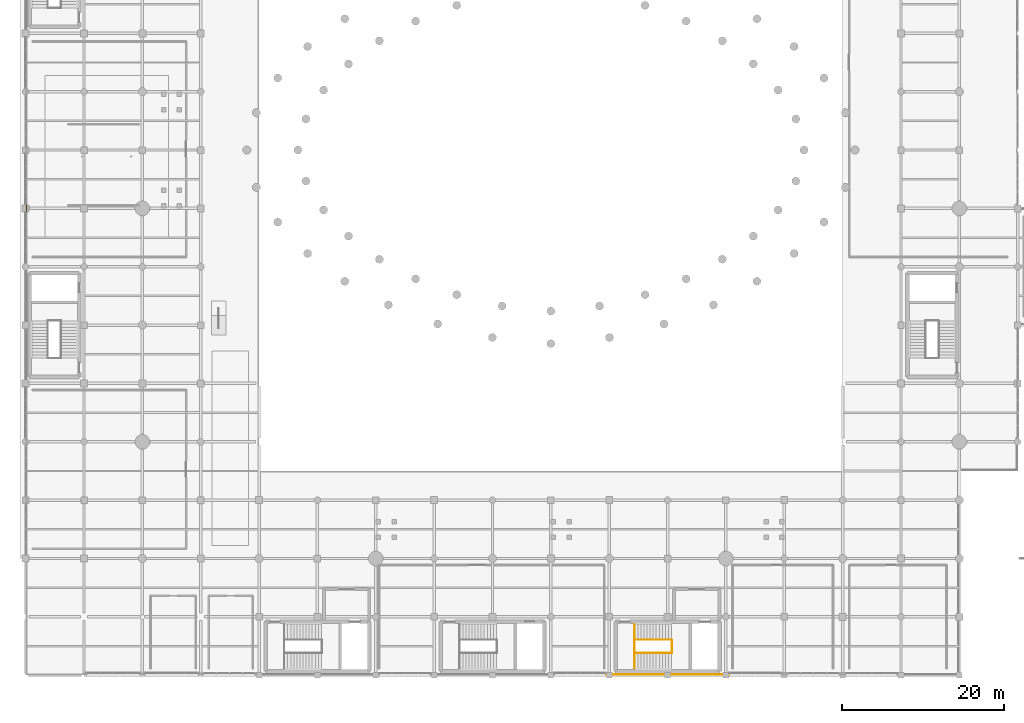
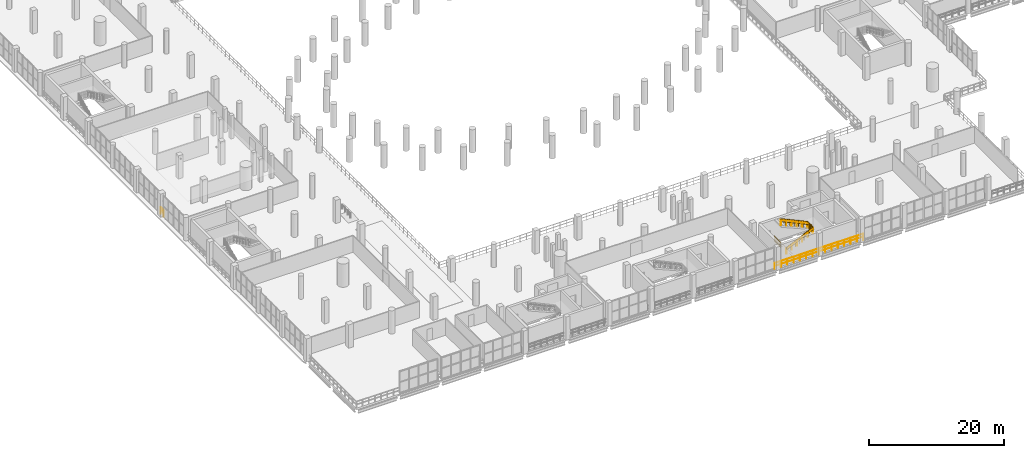
# One storey, part 144 of 153: 8 railings.
"""IFC4 building model written with IfcOpenShell, lengths in metres."""

from ifc_helpers import new_model, si_unit, direction, frame, origin, origin_2d, place, context, subcontext, project, spatial, circle, extrude, material, type_object, element, save


model = new_model("IFC4")

# Units and contexts
model_context = context("Model", 3, precision=1e-05, world=origin(), true_north=direction((0.0, 1.0)))
body_context = subcontext(model_context, "Body", "Model", "MODEL_VIEW")
ifc_project = project(units=[si_unit("LENGTHUNIT", "METRE"), si_unit("AREAUNIT", "SQUARE_METRE"), si_unit("VOLUMEUNIT", "CUBIC_METRE"), si_unit("PLANEANGLEUNIT", "RADIAN"), si_unit("MASSUNIT", "GRAM", prefix="KILO")], contexts=[model_context])

# Site, building, storey
site_placement = place(None, origin())
site = spatial("IfcSite", under=ifc_project, at=site_placement, CompositionType="ELEMENT")
building_placement = place(site_placement, origin())
building = spatial("IfcBuilding", under=site, at=building_placement, Name="Qandorah Velis Arena", CompositionType="ELEMENT")
storey_placement = place(building_placement, frame((0.0, 0.0, 5.39990234375)))
storey = spatial("IfcBuildingStorey", under=building, at=storey_placement, Name="L01", CompositionType="ELEMENT", Elevation=5.39990234375)

# Railings
ifc_material = material(Name="Stainless steel 316", Category="steel")
railing_type_1 = type_object("IfcRailingType", Name="ARC-RL-GRD1150", PredefinedType="GUARDRAIL", material=ifc_material)
railing_1_placement = place(storey_placement, frame((75.110107421875, 0.860107421875, 0.0)))
element("IfcRailing", 1, at=railing_1_placement, inside=storey, type_object=railing_type_1, Name="Stair ST2 landing well-slot guardrail L01", PredefinedType="GUARDRAIL", context=body_context, shape_type="SweptSolid", body=[
    extrude(circle(Radius=0.02392578125, at=origin_2d()), frame((0.0, 0.0, 1.1259765625), z_axis=(0.0, 1.0, 0.0), x_axis=(-1.0, 0.0, 0.0)), (0.0, 0.0, 1.0), 5.3798828125),
    extrude(circle(Radius=0.02392578125, at=origin_2d()), frame((0.0, 0.0, 0.597900390625), z_axis=(0.0, 1.0, 0.0), x_axis=(-1.0, 0.0, 0.0)), (0.0, 0.0, 1.0), 5.3798828125),
    extrude(circle(Radius=0.02099609375, at=origin_2d()), origin(), (0.0, 0.0, 1.0), 1.101806640625),
    extrude(circle(Radius=0.02099609375, at=origin_2d()), frame((0.0, 0.298828125, 0.0)), (0.0, 0.0, 1.0), 1.101806640625),
    extrude(circle(Radius=0.02099609375, at=origin_2d()), frame((0.0, 0.59765625, 0.0)), (0.0, 0.0, 1.0), 1.101806640625),
    extrude(circle(Radius=0.02099609375, at=origin_2d()), frame((0.0, 0.896728515625, 0.0)), (0.0, 0.0, 1.0), 1.101806640625),
    extrude(circle(Radius=0.02099609375, at=origin_2d()), frame((0.0, 1.195556640625, 0.0)), (0.0, 0.0, 1.0), 1.101806640625),
    extrude(circle(Radius=0.02099609375, at=origin_2d()), frame((0.0, 1.494384765625, 0.0)), (0.0, 0.0, 1.0), 1.101806640625),
    extrude(circle(Radius=0.02099609375, at=origin_2d()), frame((0.0, 1.793212890625, 0.0)), (0.0, 0.0, 1.0), 1.101806640625),
    extrude(circle(Radius=0.02099609375, at=origin_2d()), frame((0.0, 2.09228515625, 0.0)), (0.0, 0.0, 1.0), 1.101806640625),
    extrude(circle(Radius=0.02099609375, at=origin_2d()), frame((0.0, 2.39111328125, 0.0)), (0.0, 0.0, 1.0), 1.101806640625),
    extrude(circle(Radius=0.02099609375, at=origin_2d()), frame((0.0, 2.68994140625, 0.0)), (0.0, 0.0, 1.0), 1.101806640625),
    extrude(circle(Radius=0.02099609375, at=origin_2d()), frame((0.0, 2.98876953125, 0.0)), (0.0, 0.0, 1.0), 1.101806640625),
    extrude(circle(Radius=0.02099609375, at=origin_2d()), frame((0.0, 3.28759765625, 0.0)), (0.0, 0.0, 1.0), 1.101806640625),
    extrude(circle(Radius=0.02099609375, at=origin_2d()), frame((0.0, 3.586669921875, 0.0)), (0.0, 0.0, 1.0), 1.101806640625),
    extrude(circle(Radius=0.02099609375, at=origin_2d()), frame((0.0, 3.885498046875, 0.0)), (0.0, 0.0, 1.0), 1.101806640625),
    extrude(circle(Radius=0.02099609375, at=origin_2d()), frame((0.0, 4.184326171875, 0.0)), (0.0, 0.0, 1.0), 1.101806640625),
    extrude(circle(Radius=0.02099609375, at=origin_2d()), frame((0.0, 4.483154296875, 0.0)), (0.0, 0.0, 1.0), 1.101806640625),
    extrude(circle(Radius=0.02099609375, at=origin_2d()), frame((0.0, 4.7822265625, 0.0)), (0.0, 0.0, 1.0), 1.101806640625),
    extrude(circle(Radius=0.02099609375, at=origin_2d()), frame((0.0, 5.0810546875, 0.0)), (0.0, 0.0, 1.0), 1.101806640625),
    extrude(circle(Radius=0.02099609375, at=origin_2d()), frame((0.0, 5.3798828125, 0.0)), (0.0, 0.0, 1.0), 1.101806640625),
])
railing_2_placement = place(storey_placement, frame((79.74609375, 2.739990234375, 2.10009765625)))
element("IfcRailing", 2, at=railing_2_placement, inside=storey, type_object=railing_type_1, Name="Stair ST2 well guardrail (L01)", PredefinedType="GUARDRAIL", context=body_context, shape_type="SweptSolid", body=[
    extrude(circle(Radius=0.02392578125, at=origin_2d()), frame((0.0, 0.0, 1.1259765625), z_axis=(0.0, 1.0, 0.0), x_axis=(-1.0, 0.0, 0.0)), (0.0, 0.0, 1.0), 1.6201171875),
    extrude(circle(Radius=0.02392578125, at=origin_2d()), frame((0.0, 0.0, 0.597900390625), z_axis=(0.0, 1.0, 0.0), x_axis=(-1.0, 0.0, 0.0)), (0.0, 0.0, 1.0), 1.6201171875),
    extrude(circle(Radius=0.02099609375, at=origin_2d()), origin(), (0.0, 0.0, 1.0), 1.101806640625),
    extrude(circle(Radius=0.02099609375, at=origin_2d()), frame((0.0, 0.27001953125, 0.0)), (0.0, 0.0, 1.0), 1.101806640625),
    extrude(circle(Radius=0.02099609375, at=origin_2d()), frame((0.0, 0.5400390625, 0.0)), (0.0, 0.0, 1.0), 1.101806640625),
    extrude(circle(Radius=0.02099609375, at=origin_2d()), frame((0.0, 0.81005859375, 0.0)), (0.0, 0.0, 1.0), 1.101806640625),
    extrude(circle(Radius=0.02099609375, at=origin_2d()), frame((0.0, 1.080078125, 0.0)), (0.0, 0.0, 1.0), 1.101806640625),
    extrude(circle(Radius=0.02099609375, at=origin_2d()), frame((0.0, 1.35009765625, 0.0)), (0.0, 0.0, 1.0), 1.101806640625),
    extrude(circle(Radius=0.02099609375, at=origin_2d()), frame((0.0, 1.6201171875, 0.0)), (0.0, 0.0, 1.0), 1.101806640625),
])
railing_3_placement = place(storey_placement, frame((75.14990234375, 2.72998046875, 0.0)))
element("IfcRailing", 3, at=railing_3_placement, inside=storey, type_object=railing_type_1, Name="Stair ST2 inner flight 1 guardrail (L01)", PredefinedType="GUARDRAIL", context=body_context, shape_type="SweptSolid", body=[
    extrude(circle(Radius=0.02392578125, at=origin_2d()), frame((0.0, 0.0, 1.1259765625), z_axis=(0.907464148506, 0.0, 0.420129526666), x_axis=(0.0, 1.0, 0.0)), (0.0, 0.0, 1.0), 4.998779296875),
    extrude(circle(Radius=0.02392578125, at=origin_2d()), frame((0.0, 0.0, 0.597900390625), z_axis=(0.907464148506, 0.0, 0.420129526666), x_axis=(0.0, 1.0, 0.0)), (0.0, 0.0, 1.0), 4.998779296875),
    extrude(circle(Radius=0.02099609375, at=origin_2d()), origin(), (0.0, 0.0, 1.0), 1.101806640625),
    extrude(circle(Radius=0.02099609375, at=origin_2d()), frame((0.756103515625, 0.0, 0.35009765625)), (0.0, 0.0, 1.0), 1.101806640625),
    extrude(circle(Radius=0.02099609375, at=origin_2d()), frame((1.511962890625, 0.0, 0.699951171875)), (0.0, 0.0, 1.0), 1.101806640625),
    extrude(circle(Radius=0.02099609375, at=origin_2d()), frame((2.26806640625, 0.0, 1.050048828125)), (0.0, 0.0, 1.0), 1.101806640625),
    extrude(circle(Radius=0.02099609375, at=origin_2d()), frame((3.024169921875, 0.0, 1.400146484375)), (0.0, 0.0, 1.0), 1.101806640625),
    extrude(circle(Radius=0.02099609375, at=origin_2d()), frame((3.780029296875, 0.0, 1.75)), (0.0, 0.0, 1.0), 1.101806640625),
    extrude(circle(Radius=0.02099609375, at=origin_2d()), frame((4.5361328125, 0.0, 2.10009765625)), (0.0, 0.0, 1.0), 1.101806640625),
])
railing_4_placement = place(storey_placement, frame((79.68603515625, 4.3701171875, 2.10009765625)))
element("IfcRailing", 4, at=railing_4_placement, inside=storey, type_object=railing_type_1, Name="Stair ST2 inner flight 2 guardrail (L01)", PredefinedType="GUARDRAIL", context=body_context, shape_type="SweptSolid", body=[
    extrude(circle(Radius=0.02392578125, at=origin_2d()), frame((0.0, 0.0, 1.1259765625), z_axis=(-0.907464148506, 0.0, 0.420129526666), x_axis=(0.0, -1.0, 0.0)), (0.0, 0.0, 1.0), 4.998779296875),
    extrude(circle(Radius=0.02392578125, at=origin_2d()), frame((0.0, 0.0, 0.597900390625), z_axis=(-0.907464148506, 0.0, 0.420129526666), x_axis=(0.0, -1.0, 0.0)), (0.0, 0.0, 1.0), 4.998779296875),
    extrude(circle(Radius=0.02099609375, at=origin_2d()), origin(), (0.0, 0.0, 1.0), 1.101806640625),
    extrude(circle(Radius=0.02099609375, at=origin_2d()), frame((-0.756103515625, 0.0, 0.35009765625)), (0.0, 0.0, 1.0), 1.101806640625),
    extrude(circle(Radius=0.02099609375, at=origin_2d()), frame((-1.511962890625, 0.0, 0.699951171875)), (0.0, 0.0, 1.0), 1.101806640625),
    extrude(circle(Radius=0.02099609375, at=origin_2d()), frame((-2.26806640625, 0.0, 1.050048828125)), (0.0, 0.0, 1.0), 1.101806640625),
    extrude(circle(Radius=0.02099609375, at=origin_2d()), frame((-3.024169921875, 0.0, 1.400146484375)), (0.0, 0.0, 1.0), 1.101806640625),
    extrude(circle(Radius=0.02099609375, at=origin_2d()), frame((-3.780029296875, 0.0, 1.75)), (0.0, 0.0, 1.0), 1.101806640625),
    extrude(circle(Radius=0.02099609375, at=origin_2d()), frame((-4.5361328125, 0.0, 2.10009765625)), (0.0, 0.0, 1.0), 1.101806640625),
])
railing_5_placement = place(storey_placement, frame((86.77490234375, 0.10009765625, 0.0)))
element("IfcRailing", 5, at=railing_5_placement, inside=storey, type_object=railing_type_1, Name="Slab edge safety guardrail L01-086", PredefinedType="GUARDRAIL", context=body_context, shape_type="SweptSolid", body=[
    extrude(circle(Radius=0.02392578125, at=origin_2d()), frame((0.0, 0.0, 1.1259765625), z_axis=(-1.0, 0.0, 0.0), x_axis=(0.0, -1.0, 0.0)), (0.0, 0.0, 1.0), 15.14990234375),
    extrude(circle(Radius=0.02392578125, at=origin_2d()), frame((0.0, 0.0, 0.597900390625), z_axis=(-1.0, 0.0, 0.0), x_axis=(0.0, -1.0, 0.0)), (0.0, 0.0, 1.0), 15.14990234375),
    extrude(circle(Radius=0.02099609375, at=origin_2d()), origin(), (0.0, 0.0, 1.0), 1.101806640625),
    extrude(circle(Radius=0.02099609375, at=origin_2d()), frame((-1.08203125, 0.0, 0.0)), (0.0, 0.0, 1.0), 1.101806640625),
    extrude(circle(Radius=0.02099609375, at=origin_2d()), frame((-2.164306640625, 0.0, 0.0)), (0.0, 0.0, 1.0), 1.101806640625),
    extrude(circle(Radius=0.02099609375, at=origin_2d()), frame((-3.246337890625, 0.0, 0.0)), (0.0, 0.0, 1.0), 1.101806640625),
    extrude(circle(Radius=0.02099609375, at=origin_2d()), frame((-4.32861328125, 0.0, 0.0)), (0.0, 0.0, 1.0), 1.101806640625),
    extrude(circle(Radius=0.02099609375, at=origin_2d()), frame((-5.41064453125, 0.0, 0.0)), (0.0, 0.0, 1.0), 1.101806640625),
    extrude(circle(Radius=0.02099609375, at=origin_2d()), frame((-6.492919921875, 0.0, 0.0)), (0.0, 0.0, 1.0), 1.101806640625),
    extrude(circle(Radius=0.02099609375, at=origin_2d()), frame((-7.574951171875, 0.0, 0.0)), (0.0, 0.0, 1.0), 1.101806640625),
    extrude(circle(Radius=0.02099609375, at=origin_2d()), frame((-8.656982421875, 0.0, 0.0)), (0.0, 0.0, 1.0), 1.101806640625),
    extrude(circle(Radius=0.02099609375, at=origin_2d()), frame((-9.7392578125, 0.0, 0.0)), (0.0, 0.0, 1.0), 1.101806640625),
    extrude(circle(Radius=0.02099609375, at=origin_2d()), frame((-10.8212890625, 0.0, 0.0)), (0.0, 0.0, 1.0), 1.101806640625),
    extrude(circle(Radius=0.02099609375, at=origin_2d()), frame((-11.903564453125, 0.0, 0.0)), (0.0, 0.0, 1.0), 1.101806640625),
    extrude(circle(Radius=0.02099609375, at=origin_2d()), frame((-12.985595703125, 0.0, 0.0)), (0.0, 0.0, 1.0), 1.101806640625),
    extrude(circle(Radius=0.02099609375, at=origin_2d()), frame((-14.06787109375, 0.0, 0.0)), (0.0, 0.0, 1.0), 1.101806640625),
    extrude(circle(Radius=0.02099609375, at=origin_2d()), frame((-15.14990234375, 0.0, 0.0)), (0.0, 0.0, 1.0), 1.101806640625),
])
railing_6_placement = place(storey_placement, frame((0.10009765625, 57.14990234375, 0.0)))
element("IfcRailing", 6, at=railing_6_placement, inside=storey, type_object=railing_type_1, Name="Slab edge safety guardrail L01-095", PredefinedType="GUARDRAIL", context=body_context, shape_type="SweptSolid", body=[
    extrude(circle(Radius=0.02392578125, at=origin_2d()), frame((0.0, 0.0, 1.1259765625), z_axis=(0.0, 1.0, 0.0), x_axis=(-1.0, 0.0, 0.0)), (0.0, 0.0, 1.0), 0.900146484375),
    extrude(circle(Radius=0.02392578125, at=origin_2d()), frame((0.0, 0.0, 0.597900390625), z_axis=(0.0, 1.0, 0.0), x_axis=(-1.0, 0.0, 0.0)), (0.0, 0.0, 1.0), 0.900146484375),
    extrude(circle(Radius=0.02099609375, at=origin_2d()), origin(), (0.0, 0.0, 1.0), 1.101806640625),
    extrude(circle(Radius=0.02099609375, at=origin_2d()), frame((0.0, 0.900146484375, 0.0)), (0.0, 0.0, 1.0), 1.101806640625),
])
railing_type_2 = type_object("IfcRailingType", Name="ARC-RL-HND920", PredefinedType="HANDRAIL", material=ifc_material)
railing_7_placement = place(storey_placement, frame((75.14990234375, 2.72998046875, 0.0)))
element("IfcRailing", 7, at=railing_7_placement, inside=storey, type_object=railing_type_2, Name="Stair ST2 inner handrail 1 (L01)", PredefinedType="HANDRAIL", context=body_context, shape_type="SweptSolid", body=[
    extrude(circle(Radius=0.02392578125, at=origin_2d()), frame((0.0, 0.0, 0.89599609375), z_axis=(0.907464148506, 0.0, 0.420129526666), x_axis=(0.0, 1.0, 0.0)), (0.0, 0.0, 1.0), 4.998779296875),
    extrude(circle(Radius=0.02099609375, at=origin_2d()), origin(), (0.0, 0.0, 1.0), 0.871826171875),
    extrude(circle(Radius=0.02099609375, at=origin_2d()), frame((0.9072265625, 0.0, 0.419921875)), (0.0, 0.0, 1.0), 0.871826171875),
    extrude(circle(Radius=0.02099609375, at=origin_2d()), frame((1.814453125, 0.0, 0.840087890625)), (0.0, 0.0, 1.0), 0.871826171875),
    extrude(circle(Radius=0.02099609375, at=origin_2d()), frame((2.7216796875, 0.0, 1.260009765625)), (0.0, 0.0, 1.0), 0.871826171875),
    extrude(circle(Radius=0.02099609375, at=origin_2d()), frame((3.62890625, 0.0, 1.68017578125)), (0.0, 0.0, 1.0), 0.871826171875),
    extrude(circle(Radius=0.02099609375, at=origin_2d()), frame((4.5361328125, 0.0, 2.10009765625)), (0.0, 0.0, 1.0), 0.871826171875),
])
railing_8_placement = place(storey_placement, frame((79.68603515625, 4.3701171875, 2.10009765625)))
element("IfcRailing", 8, at=railing_8_placement, inside=storey, type_object=railing_type_2, Name="Stair ST2 inner handrail 2 (L01)", PredefinedType="HANDRAIL", context=body_context, shape_type="SweptSolid", body=[
    extrude(circle(Radius=0.02392578125, at=origin_2d()), frame((0.0, 0.0, 0.89599609375), z_axis=(-0.907464148506, 0.0, 0.420129526666), x_axis=(0.0, -1.0, 0.0)), (0.0, 0.0, 1.0), 4.998779296875),
    extrude(circle(Radius=0.02099609375, at=origin_2d()), origin(), (0.0, 0.0, 1.0), 0.871826171875),
    extrude(circle(Radius=0.02099609375, at=origin_2d()), frame((-0.9072265625, 0.0, 0.419921875)), (0.0, 0.0, 1.0), 0.871826171875),
    extrude(circle(Radius=0.02099609375, at=origin_2d()), frame((-1.814453125, 0.0, 0.840087890625)), (0.0, 0.0, 1.0), 0.871826171875),
    extrude(circle(Radius=0.02099609375, at=origin_2d()), frame((-2.7216796875, 0.0, 1.260009765625)), (0.0, 0.0, 1.0), 0.871826171875),
    extrude(circle(Radius=0.02099609375, at=origin_2d()), frame((-3.62890625, 0.0, 1.68017578125)), (0.0, 0.0, 1.0), 0.871826171875),
    extrude(circle(Radius=0.02099609375, at=origin_2d()), frame((-4.5361328125, 0.0, 2.10009765625)), (0.0, 0.0, 1.0), 0.871826171875),
])

save(model, "model.ifc")
